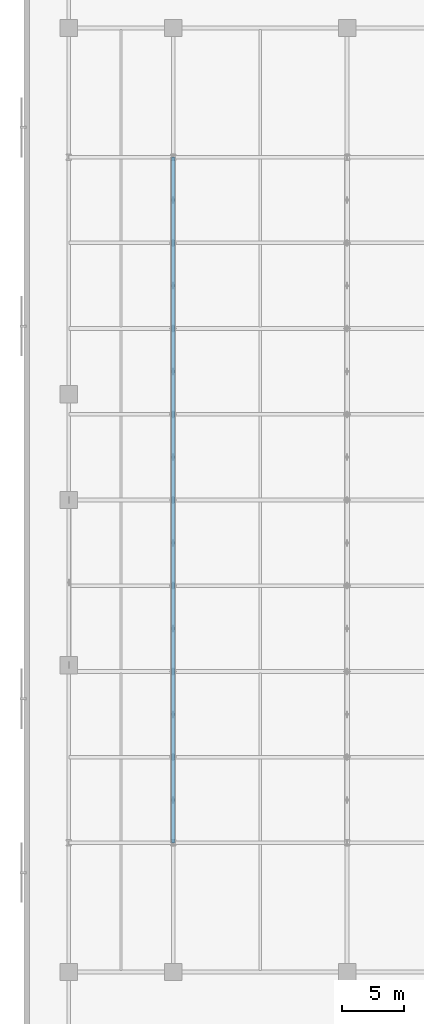
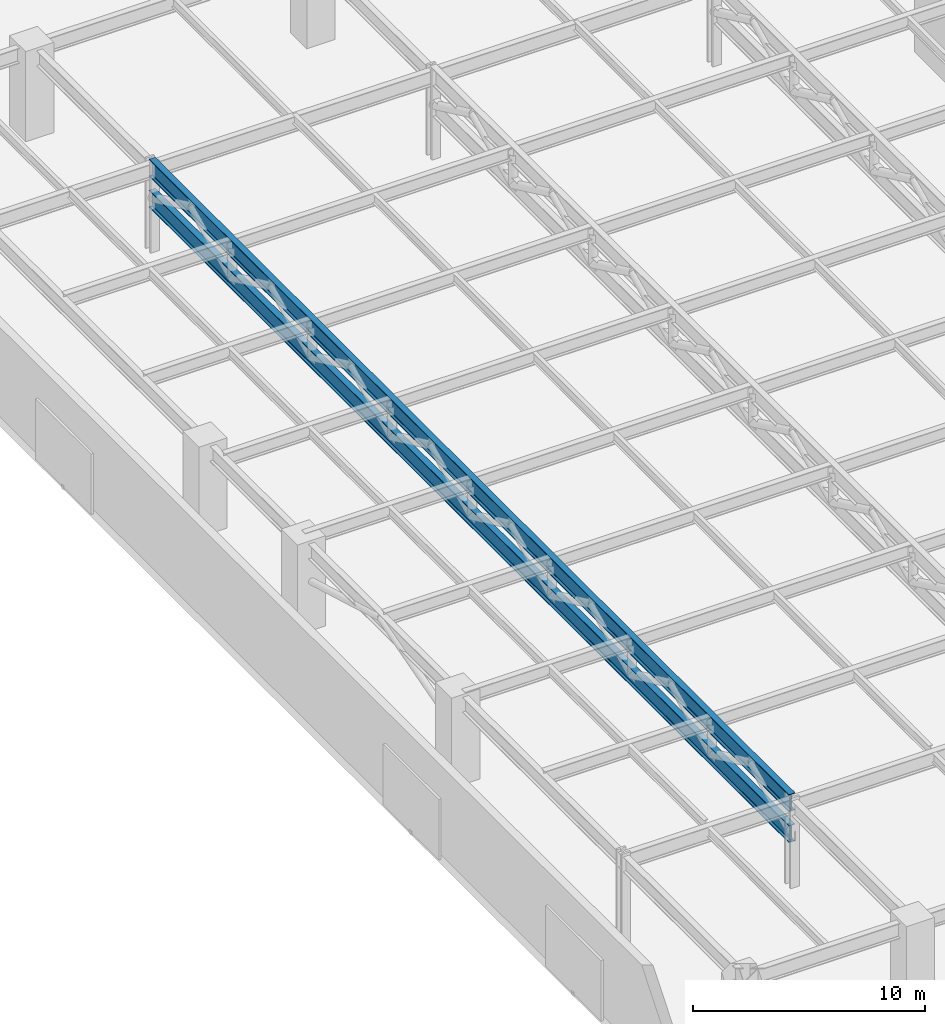
# One storey, part 9 of 40: 2 beams.
"""IFC4 building model written with IfcOpenShell, lengths in metres."""

from ifc_helpers import new_model, si_unit, direction, frame, origin, origin_2d, place, context, subcontext, project, spatial, i_section, extrude, material, material_profile, profile_set, type_object, element, save


model = new_model("IFC4")

# Units and contexts
model_context = context("Model", 3, precision=1e-05, world=origin(), true_north=direction((0.0, 1.0)))
body_context = subcontext(model_context, "Body", "Model", "MODEL_VIEW")
ifc_project = project(units=[si_unit("LENGTHUNIT", "METRE"), si_unit("AREAUNIT", "SQUARE_METRE"), si_unit("VOLUMEUNIT", "CUBIC_METRE"), si_unit("PLANEANGLEUNIT", "RADIAN"), si_unit("MASSUNIT", "GRAM", prefix="KILO")], contexts=[model_context])

# Site, building, storey
site_placement = place(None, origin())
site = spatial("IfcSite", under=ifc_project, at=site_placement, CompositionType="ELEMENT")
building_placement = place(site_placement, origin())
building = spatial("IfcBuilding", under=site, at=building_placement, Name="Narakoshi Arena Tower", CompositionType="ELEMENT")
storey_placement = place(building_placement, frame((0.0, 0.0, 21.60009765625)))
storey = spatial("IfcBuildingStorey", under=building, at=storey_placement, Name="L05", CompositionType="ELEMENT", Elevation=21.60009765625)

# Beams
ifc_material = material(Name="Structural steel S460ML", Category="steel")
ifc_material_profile = material_profile(ifc_material, i_section(OverallWidth=0.302001953125, OverallDepth=0.909912109375, WebThickness=0.02099609375, FlangeThickness=0.0400390625, FilletRadius=0.030029296875, at=origin_2d()), Name="HE900M")
ifc_profile_set = profile_set([ifc_material_profile], Name="Structural steel S460ML")
beam_type = type_object("IfcBeamType", Name="BM-ARENA-900", PredefinedType="BEAM", material=ifc_profile_set)
for number, where, z_axis, x_axis, name in (
    (1, (12.0, 20.39990234375, 4.324951171875), (0.0, 1.0, 0.0), (-1.0, 0.0, 0.0), "L05 Arena 54m Roof Truss 1 Continuous Top Chord"),
    (2, (12.0, 20.39990234375, 2.699951171875), (0.0, 1.0, 0.0), (-1.0, 0.0, 0.0), "L05 Arena 54m Roof Truss 1 Continuous Bottom Chord"),
):
    element("IfcBeam", number, at=place(storey_placement, frame(where, z_axis=z_axis, x_axis=x_axis)), inside=storey, type_object=beam_type, Name=name, PredefinedType="BEAM", context=body_context, shape_type="SweptSolid", body=[
        extrude(i_section(OverallWidth=0.302001953125, OverallDepth=0.909912109375, WebThickness=0.02099609375, FlangeThickness=0.0400390625, FilletRadius=0.030029296875, at=origin_2d()), origin(), (0.0, 0.0, 1.0), 55.2001953125),
    ])

save(model, "model.ifc")
